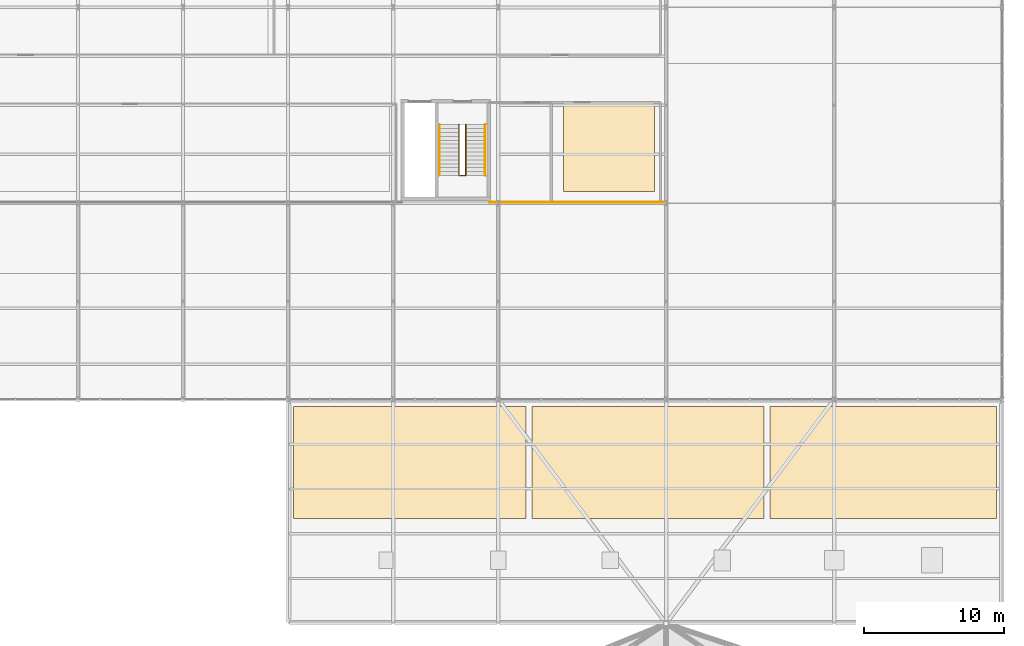
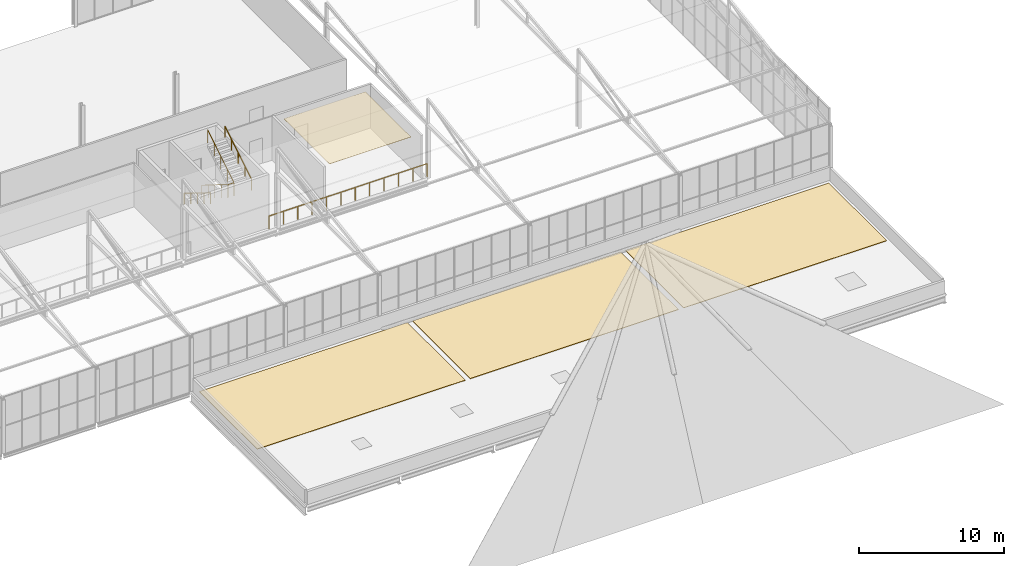
# One storey, part 104 of 104: 4 coverings, 4 railings.
"""IFC4 building model written with IfcOpenShell, lengths in metres."""

from ifc_helpers import new_model, si_unit, direction, frame, origin, origin_2d, place, context, subcontext, project, spatial, polyline, circle, outline, extrude, material, layer, layer_set, type_object, element, save


model = new_model("IFC4")

# Units and contexts
model_context = context("Model", 3, precision=1e-05, world=origin(), true_north=direction((0.0, 1.0)))
body_context = subcontext(model_context, "Body", "Model", "MODEL_VIEW")
ifc_project = project(units=[si_unit("LENGTHUNIT", "METRE"), si_unit("AREAUNIT", "SQUARE_METRE"), si_unit("VOLUMEUNIT", "CUBIC_METRE"), si_unit("PLANEANGLEUNIT", "RADIAN"), si_unit("MASSUNIT", "GRAM", prefix="KILO")], contexts=[model_context])

# Site, building, storey
site_placement = place(None, origin())
site = spatial("IfcSite", under=ifc_project, at=site_placement, CompositionType="ELEMENT")
building_placement = place(site_placement, origin())
building = spatial("IfcBuilding", under=site, at=building_placement, Name="Solvenia Promenade Tram Depot", CompositionType="ELEMENT")
storey_placement = place(building_placement, frame((0.0, 0.0, 9.0)))
storey = spatial("IfcBuildingStorey", under=building, at=storey_placement, Name="L02", CompositionType="ELEMENT", Elevation=9.0)

# Covering
ifc_material_1 = material(Name="Mineral-fibre acoustic ceiling tile", Category="other")
ifc_layer_1 = layer(ifc_material_1, 0.02001953125, Name="Mineral-fibre acoustic ceiling tile", Category="other")
ifc_layer_set_1 = layer_set([ifc_layer_1], Name="Mineral-fibre acoustic ceiling tile")
covering_type_1 = type_object("IfcCoveringType", Name="Ceiling-Acoustic-20", PredefinedType="CEILING", material=ifc_layer_set_1)
covering_1_placement = place(storey_placement, frame((0.0, 0.0, 3.14990234375)))
element("IfcCovering", 1, at=covering_1_placement, inside=storey, type_object=covering_type_1, Name="Rolling Stock Technical Library Acoustic Ceiling", PredefinedType="CEILING", context=body_context, shape_type="SweptSolid", body=[
    extrude(outline(polyline([(154.64990234375, 38.85009765625), (161.14990234375, 38.85009765625), (161.14990234375, 45.159912109375), (154.64990234375, 45.159912109375), (154.64990234375, 38.85009765625)])), origin(), (0.0, 0.0, 1.0), 0.02001953125),
])

# Railings
ifc_material_2 = material(Name="Anodized aluminium AW-6063 T6", Category="aluminium")
railing_type_1 = type_object("IfcRailingType", Name="Guard-Stair-1100", PredefinedType="GUARDRAIL", material=ifc_material_2)
railing_1_placement = place(storey_placement, frame((147.2099609375, 43.6201171875, 0.0)))
element("IfcRailing", 2, at=railing_1_placement, inside=storey, type_object=railing_type_1, Name="Stair Inner Well Guard ST-06-L02", PredefinedType="GUARDRAIL", context=body_context, shape_type="SweptSolid", body=[
    extrude(circle(Radius=0.02392578125, at=origin_2d()), frame((0.0, 0.0, 1.09619140625), z_axis=(0.0, -0.850622404505, 0.525777067734), x_axis=(1.0, 0.0, 0.0)), (0.0, 0.0, 1.0), 4.279296875),
    extrude(circle(Radius=0.02392578125, at=origin_2d()), frame((0.0, -3.64013671875, 3.34619140625), z_axis=(1.0, 0.0, 0.0), x_axis=(0.0, 1.0, 0.0)), (0.0, 0.0, 1.0), 0.47998046875),
    extrude(circle(Radius=0.02392578125, at=origin_2d()), frame((0.47998046875, -3.64013671875, 3.34619140625), z_axis=(0.0, 0.850622404505, 0.525777067734), x_axis=(-1.0, 0.0, 0.0)), (0.0, 0.0, 1.0), 4.279296875),
    extrude(circle(Radius=0.02099609375, at=origin_2d()), origin(), (0.0, 0.0, 1.0), 1.072021484375),
    extrude(circle(Radius=0.02099609375, at=origin_2d()), frame((0.0, -0.91015625, 0.5625)), (0.0, 0.0, 1.0), 1.072021484375),
    extrude(circle(Radius=0.02099609375, at=origin_2d()), frame((0.0, -1.820068359375, 1.125)), (0.0, 0.0, 1.0), 1.072021484375),
    extrude(circle(Radius=0.02099609375, at=origin_2d()), frame((0.0, -2.72998046875, 1.6875)), (0.0, 0.0, 1.0), 1.072021484375),
    extrude(circle(Radius=0.02099609375, at=origin_2d()), frame((0.0, -3.64013671875, 2.25)), (0.0, 0.0, 1.0), 1.072021484375),
    extrude(circle(Radius=0.02099609375, at=origin_2d()), frame((0.47998046875, -3.64013671875, 2.25)), (0.0, 0.0, 1.0), 1.072021484375),
    extrude(circle(Radius=0.02099609375, at=origin_2d()), frame((0.47998046875, -2.72998046875, 2.8125)), (0.0, 0.0, 1.0), 1.072021484375),
    extrude(circle(Radius=0.02099609375, at=origin_2d()), frame((0.47998046875, -1.820068359375, 3.375)), (0.0, 0.0, 1.0), 1.072021484375),
    extrude(circle(Radius=0.02099609375, at=origin_2d()), frame((0.47998046875, -0.91015625, 3.9375)), (0.0, 0.0, 1.0), 1.072021484375),
    extrude(circle(Radius=0.02099609375, at=origin_2d()), frame((0.47998046875, 0.0, 4.5)), (0.0, 0.0, 1.0), 1.072021484375),
])
railing_2_placement = place(storey_placement, frame((149.3798828125, 38.080078125, 0.0)))
element("IfcRailing", 3, at=railing_2_placement, inside=storey, type_object=railing_type_1, Name="L02 Workshop Mezzanine Overlook Guard 3", PredefinedType="GUARDRAIL", context=body_context, shape_type="SweptSolid", body=[
    extrude(circle(Radius=0.02392578125, at=origin_2d()), frame((0.0, 0.0, 1.09619140625), z_axis=(1.0, 0.0, 0.0), x_axis=(0.0, 1.0, 0.0)), (0.0, 0.0, 1.0), 12.6201171875),
    extrude(circle(Radius=0.02099609375, at=origin_2d()), origin(), (0.0, 0.0, 1.0), 1.072021484375),
    extrude(circle(Radius=0.02099609375, at=origin_2d()), frame((1.147216796875, 0.0, 0.0)), (0.0, 0.0, 1.0), 1.072021484375),
    extrude(circle(Radius=0.02099609375, at=origin_2d()), frame((2.294677734375, 0.0, 0.0)), (0.0, 0.0, 1.0), 1.072021484375),
    extrude(circle(Radius=0.02099609375, at=origin_2d()), frame((3.44189453125, 0.0, 0.0)), (0.0, 0.0, 1.0), 1.072021484375),
    extrude(circle(Radius=0.02099609375, at=origin_2d()), frame((4.589111328125, 0.0, 0.0)), (0.0, 0.0, 1.0), 1.072021484375),
    extrude(circle(Radius=0.02099609375, at=origin_2d()), frame((5.736328125, 0.0, 0.0)), (0.0, 0.0, 1.0), 1.072021484375),
    extrude(circle(Radius=0.02099609375, at=origin_2d()), frame((6.8837890625, 0.0, 0.0)), (0.0, 0.0, 1.0), 1.072021484375),
    extrude(circle(Radius=0.02099609375, at=origin_2d()), frame((8.031005859375, 0.0, 0.0)), (0.0, 0.0, 1.0), 1.072021484375),
    extrude(circle(Radius=0.02099609375, at=origin_2d()), frame((9.17822265625, 0.0, 0.0)), (0.0, 0.0, 1.0), 1.072021484375),
    extrude(circle(Radius=0.02099609375, at=origin_2d()), frame((10.325439453125, 0.0, 0.0)), (0.0, 0.0, 1.0), 1.072021484375),
    extrude(circle(Radius=0.02099609375, at=origin_2d()), frame((11.472900390625, 0.0, 0.0)), (0.0, 0.0, 1.0), 1.072021484375),
    extrude(circle(Radius=0.02099609375, at=origin_2d()), frame((12.6201171875, 0.0, 0.0)), (0.0, 0.0, 1.0), 1.072021484375),
])
railing_type_2 = type_object("IfcRailingType", Name="Handrail-Stair-920", PredefinedType="HANDRAIL", material=ifc_material_2)
railing_3_placement = place(storey_placement, frame((145.820068359375, 43.6201171875, 0.0)))
element("IfcRailing", 4, at=railing_3_placement, inside=storey, type_object=railing_type_2, Name="Stair Wall Handrail ST-06-L02-F1", PredefinedType="HANDRAIL", context=body_context, shape_type="SweptSolid", body=[
    extrude(circle(Radius=0.02392578125, at=origin_2d()), frame((0.0, 0.0, 0.89599609375), z_axis=(0.0, -0.850622404505, 0.525777067734), x_axis=(1.0, 0.0, 0.0)), (0.0, 0.0, 1.0), 4.279296875),
    extrude(circle(Radius=0.02099609375, at=origin_2d()), origin(), (0.0, 0.0, 1.0), 0.871826171875),
    extrude(circle(Radius=0.02099609375, at=origin_2d()), frame((0.0, -0.91015625, 0.5625)), (0.0, 0.0, 1.0), 0.871826171875),
    extrude(circle(Radius=0.02099609375, at=origin_2d()), frame((0.0, -1.820068359375, 1.125)), (0.0, 0.0, 1.0), 0.871826171875),
    extrude(circle(Radius=0.02099609375, at=origin_2d()), frame((0.0, -2.72998046875, 1.6875)), (0.0, 0.0, 1.0), 0.871826171875),
    extrude(circle(Radius=0.02099609375, at=origin_2d()), frame((0.0, -3.64013671875, 2.25)), (0.0, 0.0, 1.0), 0.871826171875),
])
railing_4_placement = place(storey_placement, frame((149.080078125, 39.97998046875, 2.25)))
element("IfcRailing", 5, at=railing_4_placement, inside=storey, type_object=railing_type_2, Name="Stair Wall Handrail ST-06-L02-F2", PredefinedType="HANDRAIL", context=body_context, shape_type="SweptSolid", body=[
    extrude(circle(Radius=0.02392578125, at=origin_2d()), frame((0.0, 0.0, 0.89599609375), z_axis=(0.0, 0.850622404505, 0.525777067734), x_axis=(-1.0, 0.0, 0.0)), (0.0, 0.0, 1.0), 4.279296875),
    extrude(circle(Radius=0.02099609375, at=origin_2d()), origin(), (0.0, 0.0, 1.0), 0.871826171875),
    extrude(circle(Radius=0.02099609375, at=origin_2d()), frame((0.0, 0.91015625, 0.5625)), (0.0, 0.0, 1.0), 0.871826171875),
    extrude(circle(Radius=0.02099609375, at=origin_2d()), frame((0.0, 1.820068359375, 1.125)), (0.0, 0.0, 1.0), 0.871826171875),
    extrude(circle(Radius=0.02099609375, at=origin_2d()), frame((0.0, 2.72998046875, 1.6875)), (0.0, 0.0, 1.0), 0.871826171875),
    extrude(circle(Radius=0.02099609375, at=origin_2d()), frame((0.0, 3.64013671875, 2.25)), (0.0, 0.0, 1.0), 0.871826171875),
])

# Coverings
ifc_material_3 = material(Name="Insulated standing-seam aluminium roofing", Category="aluminium")
ifc_layer_2 = layer(ifc_material_3, 0.0400390625, Name="Insulated standing-seam aluminium roofing", Category="aluminium")
ifc_layer_set_2 = layer_set([ifc_layer_2], Name="Insulated standing-seam aluminium roofing")
covering_type_2 = type_object("IfcCoveringType", Name="Roofing-Metal-40", PredefinedType="ROOFING", material=ifc_layer_set_2)
covering_2_placement = place(storey_placement, origin())
element("IfcCovering", 6, at=covering_2_placement, inside=storey, type_object=covering_type_2, Name="Standing-Seam Roof Membrane 01", PredefinedType="ROOFING", context=body_context, shape_type="SweptSolid", body=[
    extrude(outline(polyline([(135.39990234375, 15.5), (152.0, 15.5), (152.0, 23.5), (135.39990234375, 23.5), (135.39990234375, 15.5)])), origin(), (0.0, 0.0, 1.0), 0.0400390625),
])
covering_3_placement = place(storey_placement, origin())
element("IfcCovering", 7, at=covering_3_placement, inside=storey, type_object=covering_type_2, Name="Standing-Seam Roof Membrane 02", PredefinedType="ROOFING", context=body_context, shape_type="SweptSolid", body=[
    extrude(outline(polyline([(152.39990234375, 15.5), (169.0, 15.5), (169.0, 23.5), (152.39990234375, 23.5), (152.39990234375, 15.5)])), origin(), (0.0, 0.0, 1.0), 0.0400390625),
])
covering_4_placement = place(storey_placement, origin())
element("IfcCovering", 8, at=covering_4_placement, inside=storey, type_object=covering_type_2, Name="Standing-Seam Roof Membrane 03", PredefinedType="ROOFING", context=body_context, shape_type="SweptSolid", body=[
    extrude(outline(polyline([(169.39990234375, 15.5), (185.60009765625, 15.5), (185.60009765625, 23.5), (169.39990234375, 23.5), (169.39990234375, 15.5)])), origin(), (0.0, 0.0, 1.0), 0.0400390625),
])

save(model, "model.ifc")
